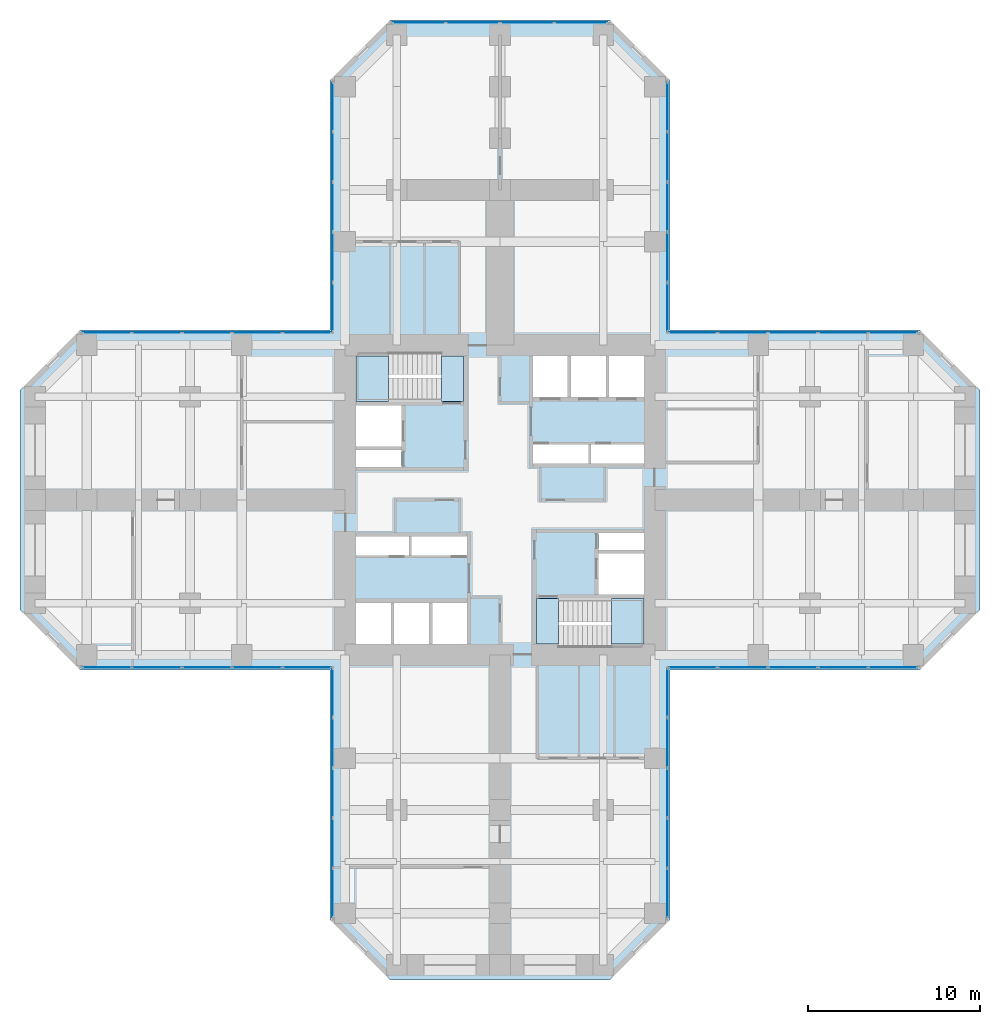
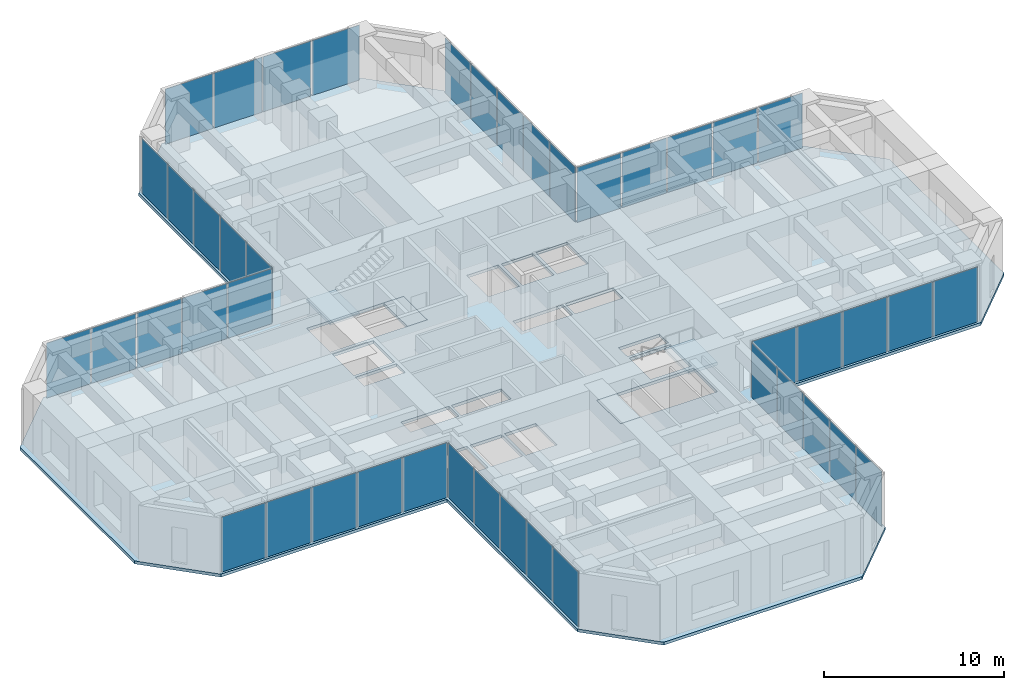
# One storey, part 7 of 12: 44 plates, 5 slabs, 11 elements without a shape of their own.
"""IFC4 building model written with IfcOpenShell, lengths in metres."""

from ifc_helpers import new_model, si_unit, direction, frame, origin, origin_2d, place, context, subcontext, project, spatial, polyline, rectangle, outline, extrude, material, layer, layer_set, type_object, element, aggregate, save


model = new_model("IFC4")

# Units and contexts
model_context = context("Model", 3, precision=1e-05, world=origin(), true_north=direction((0.0, 1.0)))
body_context = subcontext(model_context, "Body", "Model", "MODEL_VIEW")
ifc_project = project(units=[si_unit("LENGTHUNIT", "METRE"), si_unit("AREAUNIT", "SQUARE_METRE"), si_unit("VOLUMEUNIT", "CUBIC_METRE"), si_unit("PLANEANGLEUNIT", "RADIAN"), si_unit("MASSUNIT", "GRAM", prefix="KILO")], contexts=[model_context])

# Site, building, storey
site_placement = place(None, origin())
site = spatial("IfcSite", under=ifc_project, at=site_placement, CompositionType="ELEMENT")
building_placement = place(site_placement, origin())
building = spatial("IfcBuilding", under=site, at=building_placement, Name="Torre Cruceta", CompositionType="ELEMENT")
storey_placement = place(building_placement, frame((0.0, 0.0, 67.5)))
storey = spatial("IfcBuildingStorey", under=building, at=storey_placement, Name="L16", CompositionType="ELEMENT", Elevation=67.5)

# Curtain wall, plate
ifc_material_1 = material(Name="Aluminium unitised curtain wall", Category="aluminium")
curtain_wall_type = type_object("IfcCurtainWallType", Name="CURTAIN WALL CW-A OFFICE LOW RISE", PredefinedType="USERDEFINED", material=ifc_material_1)
curtain_wall_1_placement = place(storey_placement, origin())
curtain_wall_1 = element("IfcCurtainWall", 1, at=curtain_wall_1_placement, inside=storey, type_object=curtain_wall_type, Name="CW-A L16 E side 00", ObjectType="UNITISED", PredefinedType="USERDEFINED")
ifc_material_2 = material(Name="Laminated insulating glass unit, low-iron clear", Category="glass")
ifc_material_3 = material(Name="Laminated insulating glass unit, diagonal frit 50 %", Category="glass")
ifc_layer_1 = layer(ifc_material_3, 0.033935546875)
ifc_layer_set_1 = layer_set([ifc_layer_1], Name="Laminated insulating glass unit, diagonal frit 50 %")
plate_type_1 = type_object("IfcPlateType", Name="CW-A OPERABLE VENT PANEL 34", PredefinedType="CURTAIN_PANEL", material=ifc_layer_set_1)
plate_1_placement = place(storey_placement, frame((17.009033203125, -9.719970703125, 0.010009765625), z_axis=(0.0, 0.0, 1.0), x_axis=(1.0, 0.0, 0.0)))
plate_1 = element("IfcPlate", 2, at=plate_1_placement, type_object=plate_type_1, material=ifc_material_2, Name="CW-A vent 3", PredefinedType="CURTAIN_PANEL", context=body_context, shape_type="SweptSolid", body=[
    extrude(rectangle(XDim=2.8505859375, YDim=0.033935546875, at=origin_2d()), origin(), (0.0, 0.0, 1.0), 3.72509765625),
])

curtain_wall_2_placement = place(storey_placement, origin())
curtain_wall_2 = element("IfcCurtainWall", 3, at=curtain_wall_2_placement, inside=storey, type_object=curtain_wall_type, Name="CW-A L16 E side 04", ObjectType="UNITISED", PredefinedType="USERDEFINED")
plate_2_placement = place(storey_placement, frame((17.009033203125, 9.719970703125, 0.010009765625), z_axis=(0.0, 0.0, 1.0), x_axis=(-1.0, 0.0, 0.0)))
plate_2 = element("IfcPlate", 4, at=plate_2_placement, type_object=plate_type_1, material=ifc_material_2, Name="CW-A vent 3", PredefinedType="CURTAIN_PANEL", context=body_context, shape_type="SweptSolid", body=[
    extrude(rectangle(XDim=2.8505859375, YDim=0.033935546875, at=origin_2d()), origin(), (0.0, 0.0, 1.0), 3.72509765625),
])

curtain_wall_3_placement = place(storey_placement, origin())
curtain_wall_3 = element("IfcCurtainWall", 5, at=curtain_wall_3_placement, inside=storey, type_object=curtain_wall_type, Name="CW-A L16 N side 05", ObjectType="UNITISED", PredefinedType="USERDEFINED")
plate_3_placement = place(storey_placement, frame((9.719970703125, 17.009033203125, 0.010009765625), z_axis=(0.0, 0.0, 1.0), x_axis=(0.0, 1.0, 0.0)))
plate_3 = element("IfcPlate", 6, at=plate_3_placement, type_object=plate_type_1, material=ifc_material_2, Name="CW-A vent 3", PredefinedType="CURTAIN_PANEL", context=body_context, shape_type="SweptSolid", body=[
    extrude(rectangle(XDim=2.8505859375, YDim=0.033935546875, at=origin_2d()), origin(), (0.0, 0.0, 1.0), 3.72509765625),
])

curtain_wall_4_placement = place(storey_placement, origin())
curtain_wall_4 = element("IfcCurtainWall", 7, at=curtain_wall_4_placement, inside=storey, type_object=curtain_wall_type, Name="CW-A L16 N tip 07", ObjectType="UNITISED", PredefinedType="USERDEFINED")
plate_4_placement = place(storey_placement, frame((-1.574462890625, 27.719970703125, 0.010009765625), z_axis=(0.0, 0.0, 1.0), x_axis=(-1.0, 0.0, 0.0)))
plate_4 = element("IfcPlate", 8, at=plate_4_placement, type_object=plate_type_1, material=ifc_material_2, Name="CW-A vent 3", PredefinedType="CURTAIN_PANEL", context=body_context, shape_type="SweptSolid", body=[
    extrude(rectangle(XDim=3.084228515625, YDim=0.033935546875, at=origin_2d()), origin(), (0.0, 0.0, 1.0), 3.72509765625),
])

curtain_wall_5_placement = place(storey_placement, origin())
curtain_wall_5 = element("IfcCurtainWall", 9, at=curtain_wall_5_placement, inside=storey, type_object=curtain_wall_type, Name="CW-A L16 N side 09", ObjectType="UNITISED", PredefinedType="USERDEFINED")
plate_5_placement = place(storey_placement, frame((-9.719970703125, 17.009033203125, 0.010009765625), z_axis=(0.0, 0.0, 1.0), x_axis=(0.0, -1.0, 0.0)))
plate_5 = element("IfcPlate", 10, at=plate_5_placement, type_object=plate_type_1, material=ifc_material_2, Name="CW-A vent 3", PredefinedType="CURTAIN_PANEL", context=body_context, shape_type="SweptSolid", body=[
    extrude(rectangle(XDim=2.8505859375, YDim=0.033935546875, at=origin_2d()), origin(), (0.0, 0.0, 1.0), 3.72509765625),
])

curtain_wall_6_placement = place(storey_placement, origin())
curtain_wall_6 = element("IfcCurtainWall", 11, at=curtain_wall_6_placement, inside=storey, type_object=curtain_wall_type, Name="CW-A L16 W side 10", ObjectType="UNITISED", PredefinedType="USERDEFINED")
plate_6_placement = place(storey_placement, frame((-17.009033203125, 9.719970703125, 0.010009765625), z_axis=(0.0, 0.0, 1.0), x_axis=(-1.0, 0.0, 0.0)))
plate_6 = element("IfcPlate", 12, at=plate_6_placement, type_object=plate_type_1, material=ifc_material_2, Name="CW-A vent 3", PredefinedType="CURTAIN_PANEL", context=body_context, shape_type="SweptSolid", body=[
    extrude(rectangle(XDim=2.8505859375, YDim=0.033935546875, at=origin_2d()), origin(), (0.0, 0.0, 1.0), 3.72509765625),
])

curtain_wall_7_placement = place(storey_placement, origin())
curtain_wall_7 = element("IfcCurtainWall", 13, at=curtain_wall_7_placement, inside=storey, type_object=curtain_wall_type, Name="CW-A L16 W side 14", ObjectType="UNITISED", PredefinedType="USERDEFINED")
plate_7_placement = place(storey_placement, frame((-17.009033203125, -9.719970703125, 0.010009765625), z_axis=(0.0, 0.0, 1.0), x_axis=(1.0, 0.0, 0.0)))
plate_7 = element("IfcPlate", 14, at=plate_7_placement, type_object=plate_type_1, material=ifc_material_2, Name="CW-A vent 3", PredefinedType="CURTAIN_PANEL", context=body_context, shape_type="SweptSolid", body=[
    extrude(rectangle(XDim=2.8505859375, YDim=0.033935546875, at=origin_2d()), origin(), (0.0, 0.0, 1.0), 3.72509765625),
])

curtain_wall_8_placement = place(storey_placement, origin())
curtain_wall_8 = element("IfcCurtainWall", 15, at=curtain_wall_8_placement, inside=storey, type_object=curtain_wall_type, Name="CW-A L16 S side 15", ObjectType="UNITISED", PredefinedType="USERDEFINED")
plate_8_placement = place(storey_placement, frame((-9.719970703125, -17.009033203125, 0.010009765625), z_axis=(0.0, 0.0, 1.0), x_axis=(0.0, -1.0, 0.0)))
plate_8 = element("IfcPlate", 16, at=plate_8_placement, type_object=plate_type_1, material=ifc_material_2, Name="CW-A vent 3", PredefinedType="CURTAIN_PANEL", context=body_context, shape_type="SweptSolid", body=[
    extrude(rectangle(XDim=2.8505859375, YDim=0.033935546875, at=origin_2d()), origin(), (0.0, 0.0, 1.0), 3.72509765625),
])

curtain_wall_9_placement = place(storey_placement, origin())
curtain_wall_9 = element("IfcCurtainWall", 17, at=curtain_wall_9_placement, inside=storey, type_object=curtain_wall_type, Name="CW-A L16 S side 19", ObjectType="UNITISED", PredefinedType="USERDEFINED")
plate_9_placement = place(storey_placement, frame((9.719970703125, -17.009033203125, 0.010009765625), z_axis=(0.0, 0.0, 1.0), x_axis=(0.0, 1.0, 0.0)))
plate_9 = element("IfcPlate", 18, at=plate_9_placement, type_object=plate_type_1, material=ifc_material_2, Name="CW-A vent 3", PredefinedType="CURTAIN_PANEL", context=body_context, shape_type="SweptSolid", body=[
    extrude(rectangle(XDim=2.8505859375, YDim=0.033935546875, at=origin_2d()), origin(), (0.0, 0.0, 1.0), 3.72509765625),
])

# Plate
ifc_material_4 = material(Name="Laminated insulating glass unit, diagonal frit 50 %", Category="glass")
ifc_material_5 = material(Name="Laminated insulating glass unit, diagonal frit 50 %", Category="glass")
ifc_layer_2 = layer(ifc_material_5, 0.033935546875)
ifc_layer_set_2 = layer_set([ifc_layer_2], Name="Laminated insulating glass unit, diagonal frit 50 %")
plate_type_2 = type_object("IfcPlateType", Name="CW-A PANEL 34", PredefinedType="CURTAIN_PANEL", material=ifc_layer_set_2)
plate_10_placement = place(storey_placement, frame((11.194091796875, -9.719970703125, 0.010009765625), z_axis=(0.0, 0.0, 1.0), x_axis=(1.0, 0.0, 0.0)))
plate_10 = element("IfcPlate", 19, at=plate_10_placement, type_object=plate_type_2, material=ifc_material_4, Name="CW-A panel 1", PredefinedType="CURTAIN_PANEL", context=body_context, shape_type="SweptSolid", body=[
    extrude(rectangle(XDim=2.818115234375, YDim=0.033935546875, at=origin_2d()), origin(), (0.0, 0.0, 1.0), 3.72509765625),
])

plate_11_placement = place(storey_placement, frame((14.093505859375, -9.719970703125, 0.010009765625), z_axis=(0.0, 0.0, 1.0), x_axis=(1.0, 0.0, 0.0)))
plate_11 = element("IfcPlate", 20, at=plate_11_placement, type_object=plate_type_2, material=ifc_material_4, Name="CW-A panel 2", PredefinedType="CURTAIN_PANEL", context=body_context, shape_type="SweptSolid", body=[
    extrude(rectangle(XDim=2.8505859375, YDim=0.033935546875, at=origin_2d()), origin(), (0.0, 0.0, 1.0), 3.72509765625),
])

plate_12_placement = place(storey_placement, frame((19.9248046875, -9.719970703125, 0.010009765625), z_axis=(0.0, 0.0, 1.0), x_axis=(1.0, 0.0, 0.0)))
plate_12 = element("IfcPlate", 21, at=plate_12_placement, type_object=plate_type_2, material=ifc_material_2, Name="CW-A panel 4", PredefinedType="CURTAIN_PANEL", context=body_context, shape_type="SweptSolid", body=[
    extrude(rectangle(XDim=2.8505859375, YDim=0.033935546875, at=origin_2d()), origin(), (0.0, 0.0, 1.0), 3.72509765625),
])

plate_13_placement = place(storey_placement, frame((22.82421875, -9.719970703125, 0.010009765625), z_axis=(0.0, 0.0, 1.0), x_axis=(1.0, 0.0, 0.0)))
plate_13 = element("IfcPlate", 22, at=plate_13_placement, type_object=plate_type_2, material=ifc_material_4, Name="CW-A panel 5", PredefinedType="CURTAIN_PANEL", context=body_context, shape_type="SweptSolid", body=[
    extrude(rectangle(XDim=2.818115234375, YDim=0.033935546875, at=origin_2d()), origin(), (0.0, 0.0, 1.0), 3.72509765625),
])

aggregate(curtain_wall_1, [plate_10, plate_11, plate_1, plate_12, plate_13])

plate_14_placement = place(storey_placement, frame((22.82421875, 9.719970703125, 0.010009765625), z_axis=(0.0, 0.0, 1.0), x_axis=(-1.0, 0.0, 0.0)))
plate_14 = element("IfcPlate", 23, at=plate_14_placement, type_object=plate_type_2, material=ifc_material_4, Name="CW-A panel 1", PredefinedType="CURTAIN_PANEL", context=body_context, shape_type="SweptSolid", body=[
    extrude(rectangle(XDim=2.818115234375, YDim=0.033935546875, at=origin_2d()), origin(), (0.0, 0.0, 1.0), 3.72509765625),
])

plate_15_placement = place(storey_placement, frame((19.9248046875, 9.719970703125, 0.010009765625), z_axis=(0.0, 0.0, 1.0), x_axis=(-1.0, 0.0, 0.0)))
plate_15 = element("IfcPlate", 24, at=plate_15_placement, type_object=plate_type_2, material=ifc_material_4, Name="CW-A panel 2", PredefinedType="CURTAIN_PANEL", context=body_context, shape_type="SweptSolid", body=[
    extrude(rectangle(XDim=2.8505859375, YDim=0.033935546875, at=origin_2d()), origin(), (0.0, 0.0, 1.0), 3.72509765625),
])

plate_16_placement = place(storey_placement, frame((14.093505859375, 9.719970703125, 0.010009765625), z_axis=(0.0, 0.0, 1.0), x_axis=(-1.0, 0.0, 0.0)))
plate_16 = element("IfcPlate", 25, at=plate_16_placement, type_object=plate_type_2, material=ifc_material_2, Name="CW-A panel 4", PredefinedType="CURTAIN_PANEL", context=body_context, shape_type="SweptSolid", body=[
    extrude(rectangle(XDim=2.8505859375, YDim=0.033935546875, at=origin_2d()), origin(), (0.0, 0.0, 1.0), 3.72509765625),
])

plate_17_placement = place(storey_placement, frame((11.194091796875, 9.719970703125, 0.010009765625), z_axis=(0.0, 0.0, 1.0), x_axis=(-1.0, 0.0, 0.0)))
plate_17 = element("IfcPlate", 26, at=plate_17_placement, type_object=plate_type_2, material=ifc_material_4, Name="CW-A panel 5", PredefinedType="CURTAIN_PANEL", context=body_context, shape_type="SweptSolid", body=[
    extrude(rectangle(XDim=2.818115234375, YDim=0.033935546875, at=origin_2d()), origin(), (0.0, 0.0, 1.0), 3.72509765625),
])

aggregate(curtain_wall_2, [plate_14, plate_15, plate_2, plate_16, plate_17])

plate_18_placement = place(storey_placement, frame((9.719970703125, 11.194091796875, 0.010009765625), z_axis=(0.0, 0.0, 1.0), x_axis=(0.0, 1.0, 0.0)))
plate_18 = element("IfcPlate", 27, at=plate_18_placement, type_object=plate_type_2, material=ifc_material_4, Name="CW-A panel 1", PredefinedType="CURTAIN_PANEL", context=body_context, shape_type="SweptSolid", body=[
    extrude(rectangle(XDim=2.818115234375, YDim=0.033935546875, at=origin_2d()), origin(), (0.0, 0.0, 1.0), 3.72509765625),
])

plate_19_placement = place(storey_placement, frame((9.719970703125, 14.093505859375, 0.010009765625), z_axis=(0.0, 0.0, 1.0), x_axis=(0.0, 1.0, 0.0)))
plate_19 = element("IfcPlate", 28, at=plate_19_placement, type_object=plate_type_2, material=ifc_material_4, Name="CW-A panel 2", PredefinedType="CURTAIN_PANEL", context=body_context, shape_type="SweptSolid", body=[
    extrude(rectangle(XDim=2.8505859375, YDim=0.033935546875, at=origin_2d()), origin(), (0.0, 0.0, 1.0), 3.72509765625),
])

plate_20_placement = place(storey_placement, frame((9.719970703125, 19.9248046875, 0.010009765625), z_axis=(0.0, 0.0, 1.0), x_axis=(0.0, 1.0, 0.0)))
plate_20 = element("IfcPlate", 29, at=plate_20_placement, type_object=plate_type_2, material=ifc_material_2, Name="CW-A panel 4", PredefinedType="CURTAIN_PANEL", context=body_context, shape_type="SweptSolid", body=[
    extrude(rectangle(XDim=2.8505859375, YDim=0.033935546875, at=origin_2d()), origin(), (0.0, 0.0, 1.0), 3.72509765625),
])

plate_21_placement = place(storey_placement, frame((9.719970703125, 22.82421875, 0.010009765625), z_axis=(0.0, 0.0, 1.0), x_axis=(0.0, 1.0, 0.0)))
plate_21 = element("IfcPlate", 30, at=plate_21_placement, type_object=plate_type_2, material=ifc_material_4, Name="CW-A panel 5", PredefinedType="CURTAIN_PANEL", context=body_context, shape_type="SweptSolid", body=[
    extrude(rectangle(XDim=2.818115234375, YDim=0.033935546875, at=origin_2d()), origin(), (0.0, 0.0, 1.0), 3.72509765625),
])

aggregate(curtain_wall_3, [plate_18, plate_19, plate_3, plate_20, plate_21])

plate_22_placement = place(storey_placement, frame((4.70751953125, 27.719970703125, 0.010009765625), z_axis=(0.0, 0.0, 1.0), x_axis=(-1.0, 0.0, 0.0)))
plate_22 = element("IfcPlate", 31, at=plate_22_placement, type_object=plate_type_2, material=ifc_material_4, Name="CW-A panel 1", PredefinedType="CURTAIN_PANEL", context=body_context, shape_type="SweptSolid", body=[
    extrude(rectangle(XDim=3.051513671875, YDim=0.033935546875, at=origin_2d()), origin(), (0.0, 0.0, 1.0), 3.72509765625),
])

plate_23_placement = place(storey_placement, frame((1.574462890625, 27.719970703125, 0.010009765625), z_axis=(0.0, 0.0, 1.0), x_axis=(-1.0, 0.0, 0.0)))
plate_23 = element("IfcPlate", 32, at=plate_23_placement, type_object=plate_type_2, material=ifc_material_4, Name="CW-A panel 2", PredefinedType="CURTAIN_PANEL", context=body_context, shape_type="SweptSolid", body=[
    extrude(rectangle(XDim=3.084228515625, YDim=0.033935546875, at=origin_2d()), origin(), (0.0, 0.0, 1.0), 3.72509765625),
])

plate_24_placement = place(storey_placement, frame((-4.70751953125, 27.719970703125, 0.010009765625), z_axis=(0.0, 0.0, 1.0), x_axis=(-1.0, 0.0, 0.0)))
plate_24 = element("IfcPlate", 33, at=plate_24_placement, type_object=plate_type_2, material=ifc_material_2, Name="CW-A panel 4", PredefinedType="CURTAIN_PANEL", context=body_context, shape_type="SweptSolid", body=[
    extrude(rectangle(XDim=3.051513671875, YDim=0.033935546875, at=origin_2d()), origin(), (0.0, 0.0, 1.0), 3.72509765625),
])

aggregate(curtain_wall_4, [plate_22, plate_23, plate_4, plate_24])

plate_25_placement = place(storey_placement, frame((-9.719970703125, 22.82421875, 0.010009765625), z_axis=(0.0, 0.0, 1.0), x_axis=(0.0, -1.0, 0.0)))
plate_25 = element("IfcPlate", 34, at=plate_25_placement, type_object=plate_type_2, material=ifc_material_4, Name="CW-A panel 1", PredefinedType="CURTAIN_PANEL", context=body_context, shape_type="SweptSolid", body=[
    extrude(rectangle(XDim=2.818115234375, YDim=0.033935546875, at=origin_2d()), origin(), (0.0, 0.0, 1.0), 3.72509765625),
])

plate_26_placement = place(storey_placement, frame((-9.719970703125, 19.9248046875, 0.010009765625), z_axis=(0.0, 0.0, 1.0), x_axis=(0.0, -1.0, 0.0)))
plate_26 = element("IfcPlate", 35, at=plate_26_placement, type_object=plate_type_2, material=ifc_material_4, Name="CW-A panel 2", PredefinedType="CURTAIN_PANEL", context=body_context, shape_type="SweptSolid", body=[
    extrude(rectangle(XDim=2.8505859375, YDim=0.033935546875, at=origin_2d()), origin(), (0.0, 0.0, 1.0), 3.72509765625),
])

plate_27_placement = place(storey_placement, frame((-9.719970703125, 14.093505859375, 0.010009765625), z_axis=(0.0, 0.0, 1.0), x_axis=(0.0, -1.0, 0.0)))
plate_27 = element("IfcPlate", 36, at=plate_27_placement, type_object=plate_type_2, material=ifc_material_2, Name="CW-A panel 4", PredefinedType="CURTAIN_PANEL", context=body_context, shape_type="SweptSolid", body=[
    extrude(rectangle(XDim=2.8505859375, YDim=0.033935546875, at=origin_2d()), origin(), (0.0, 0.0, 1.0), 3.72509765625),
])

plate_28_placement = place(storey_placement, frame((-9.719970703125, 11.194091796875, 0.010009765625), z_axis=(0.0, 0.0, 1.0), x_axis=(0.0, -1.0, 0.0)))
plate_28 = element("IfcPlate", 37, at=plate_28_placement, type_object=plate_type_2, material=ifc_material_4, Name="CW-A panel 5", PredefinedType="CURTAIN_PANEL", context=body_context, shape_type="SweptSolid", body=[
    extrude(rectangle(XDim=2.818115234375, YDim=0.033935546875, at=origin_2d()), origin(), (0.0, 0.0, 1.0), 3.72509765625),
])

aggregate(curtain_wall_5, [plate_25, plate_26, plate_5, plate_27, plate_28])

plate_29_placement = place(storey_placement, frame((-11.194091796875, 9.719970703125, 0.010009765625), z_axis=(0.0, 0.0, 1.0), x_axis=(-1.0, 0.0, 0.0)))
plate_29 = element("IfcPlate", 38, at=plate_29_placement, type_object=plate_type_2, material=ifc_material_4, Name="CW-A panel 1", PredefinedType="CURTAIN_PANEL", context=body_context, shape_type="SweptSolid", body=[
    extrude(rectangle(XDim=2.818115234375, YDim=0.033935546875, at=origin_2d()), origin(), (0.0, 0.0, 1.0), 3.72509765625),
])

plate_30_placement = place(storey_placement, frame((-14.093505859375, 9.719970703125, 0.010009765625), z_axis=(0.0, 0.0, 1.0), x_axis=(-1.0, 0.0, 0.0)))
plate_30 = element("IfcPlate", 39, at=plate_30_placement, type_object=plate_type_2, material=ifc_material_4, Name="CW-A panel 2", PredefinedType="CURTAIN_PANEL", context=body_context, shape_type="SweptSolid", body=[
    extrude(rectangle(XDim=2.8505859375, YDim=0.033935546875, at=origin_2d()), origin(), (0.0, 0.0, 1.0), 3.72509765625),
])

plate_31_placement = place(storey_placement, frame((-19.9248046875, 9.719970703125, 0.010009765625), z_axis=(0.0, 0.0, 1.0), x_axis=(-1.0, 0.0, 0.0)))
plate_31 = element("IfcPlate", 40, at=plate_31_placement, type_object=plate_type_2, material=ifc_material_2, Name="CW-A panel 4", PredefinedType="CURTAIN_PANEL", context=body_context, shape_type="SweptSolid", body=[
    extrude(rectangle(XDim=2.8505859375, YDim=0.033935546875, at=origin_2d()), origin(), (0.0, 0.0, 1.0), 3.72509765625),
])

plate_32_placement = place(storey_placement, frame((-22.82421875, 9.719970703125, 0.010009765625), z_axis=(0.0, 0.0, 1.0), x_axis=(-1.0, 0.0, 0.0)))
plate_32 = element("IfcPlate", 41, at=plate_32_placement, type_object=plate_type_2, material=ifc_material_4, Name="CW-A panel 5", PredefinedType="CURTAIN_PANEL", context=body_context, shape_type="SweptSolid", body=[
    extrude(rectangle(XDim=2.818115234375, YDim=0.033935546875, at=origin_2d()), origin(), (0.0, 0.0, 1.0), 3.72509765625),
])

aggregate(curtain_wall_6, [plate_29, plate_30, plate_6, plate_31, plate_32])

plate_33_placement = place(storey_placement, frame((-22.82421875, -9.719970703125, 0.010009765625), z_axis=(0.0, 0.0, 1.0), x_axis=(1.0, 0.0, 0.0)))
plate_33 = element("IfcPlate", 42, at=plate_33_placement, type_object=plate_type_2, material=ifc_material_4, Name="CW-A panel 1", PredefinedType="CURTAIN_PANEL", context=body_context, shape_type="SweptSolid", body=[
    extrude(rectangle(XDim=2.818115234375, YDim=0.033935546875, at=origin_2d()), origin(), (0.0, 0.0, 1.0), 3.72509765625),
])

plate_34_placement = place(storey_placement, frame((-19.9248046875, -9.719970703125, 0.010009765625), z_axis=(0.0, 0.0, 1.0), x_axis=(1.0, 0.0, 0.0)))
plate_34 = element("IfcPlate", 43, at=plate_34_placement, type_object=plate_type_2, material=ifc_material_4, Name="CW-A panel 2", PredefinedType="CURTAIN_PANEL", context=body_context, shape_type="SweptSolid", body=[
    extrude(rectangle(XDim=2.8505859375, YDim=0.033935546875, at=origin_2d()), origin(), (0.0, 0.0, 1.0), 3.72509765625),
])

plate_35_placement = place(storey_placement, frame((-14.093505859375, -9.719970703125, 0.010009765625), z_axis=(0.0, 0.0, 1.0), x_axis=(1.0, 0.0, 0.0)))
plate_35 = element("IfcPlate", 44, at=plate_35_placement, type_object=plate_type_2, material=ifc_material_2, Name="CW-A panel 4", PredefinedType="CURTAIN_PANEL", context=body_context, shape_type="SweptSolid", body=[
    extrude(rectangle(XDim=2.8505859375, YDim=0.033935546875, at=origin_2d()), origin(), (0.0, 0.0, 1.0), 3.72509765625),
])

plate_36_placement = place(storey_placement, frame((-11.194091796875, -9.719970703125, 0.010009765625), z_axis=(0.0, 0.0, 1.0), x_axis=(1.0, 0.0, 0.0)))
plate_36 = element("IfcPlate", 45, at=plate_36_placement, type_object=plate_type_2, material=ifc_material_4, Name="CW-A panel 5", PredefinedType="CURTAIN_PANEL", context=body_context, shape_type="SweptSolid", body=[
    extrude(rectangle(XDim=2.818115234375, YDim=0.033935546875, at=origin_2d()), origin(), (0.0, 0.0, 1.0), 3.72509765625),
])

aggregate(curtain_wall_7, [plate_33, plate_34, plate_7, plate_35, plate_36])

plate_37_placement = place(storey_placement, frame((-9.719970703125, -11.194091796875, 0.010009765625), z_axis=(0.0, 0.0, 1.0), x_axis=(0.0, -1.0, 0.0)))
plate_37 = element("IfcPlate", 46, at=plate_37_placement, type_object=plate_type_2, material=ifc_material_4, Name="CW-A panel 1", PredefinedType="CURTAIN_PANEL", context=body_context, shape_type="SweptSolid", body=[
    extrude(rectangle(XDim=2.818115234375, YDim=0.033935546875, at=origin_2d()), origin(), (0.0, 0.0, 1.0), 3.72509765625),
])

plate_38_placement = place(storey_placement, frame((-9.719970703125, -14.093505859375, 0.010009765625), z_axis=(0.0, 0.0, 1.0), x_axis=(0.0, -1.0, 0.0)))
plate_38 = element("IfcPlate", 47, at=plate_38_placement, type_object=plate_type_2, material=ifc_material_4, Name="CW-A panel 2", PredefinedType="CURTAIN_PANEL", context=body_context, shape_type="SweptSolid", body=[
    extrude(rectangle(XDim=2.8505859375, YDim=0.033935546875, at=origin_2d()), origin(), (0.0, 0.0, 1.0), 3.72509765625),
])

plate_39_placement = place(storey_placement, frame((-9.719970703125, -19.9248046875, 0.010009765625), z_axis=(0.0, 0.0, 1.0), x_axis=(0.0, -1.0, 0.0)))
plate_39 = element("IfcPlate", 48, at=plate_39_placement, type_object=plate_type_2, material=ifc_material_2, Name="CW-A panel 4", PredefinedType="CURTAIN_PANEL", context=body_context, shape_type="SweptSolid", body=[
    extrude(rectangle(XDim=2.8505859375, YDim=0.033935546875, at=origin_2d()), origin(), (0.0, 0.0, 1.0), 3.72509765625),
])

plate_40_placement = place(storey_placement, frame((-9.719970703125, -22.82421875, 0.010009765625), z_axis=(0.0, 0.0, 1.0), x_axis=(0.0, -1.0, 0.0)))
plate_40 = element("IfcPlate", 49, at=plate_40_placement, type_object=plate_type_2, material=ifc_material_4, Name="CW-A panel 5", PredefinedType="CURTAIN_PANEL", context=body_context, shape_type="SweptSolid", body=[
    extrude(rectangle(XDim=2.818115234375, YDim=0.033935546875, at=origin_2d()), origin(), (0.0, 0.0, 1.0), 3.72509765625),
])

aggregate(curtain_wall_8, [plate_37, plate_38, plate_8, plate_39, plate_40])

plate_41_placement = place(storey_placement, frame((9.719970703125, -22.82421875, 0.010009765625), z_axis=(0.0, 0.0, 1.0), x_axis=(0.0, 1.0, 0.0)))
plate_41 = element("IfcPlate", 50, at=plate_41_placement, type_object=plate_type_2, material=ifc_material_4, Name="CW-A panel 1", PredefinedType="CURTAIN_PANEL", context=body_context, shape_type="SweptSolid", body=[
    extrude(rectangle(XDim=2.818115234375, YDim=0.033935546875, at=origin_2d()), origin(), (0.0, 0.0, 1.0), 3.72509765625),
])

plate_42_placement = place(storey_placement, frame((9.719970703125, -19.9248046875, 0.010009765625), z_axis=(0.0, 0.0, 1.0), x_axis=(0.0, 1.0, 0.0)))
plate_42 = element("IfcPlate", 51, at=plate_42_placement, type_object=plate_type_2, material=ifc_material_4, Name="CW-A panel 2", PredefinedType="CURTAIN_PANEL", context=body_context, shape_type="SweptSolid", body=[
    extrude(rectangle(XDim=2.8505859375, YDim=0.033935546875, at=origin_2d()), origin(), (0.0, 0.0, 1.0), 3.72509765625),
])

plate_43_placement = place(storey_placement, frame((9.719970703125, -14.093505859375, 0.010009765625), z_axis=(0.0, 0.0, 1.0), x_axis=(0.0, 1.0, 0.0)))
plate_43 = element("IfcPlate", 52, at=plate_43_placement, type_object=plate_type_2, material=ifc_material_2, Name="CW-A panel 4", PredefinedType="CURTAIN_PANEL", context=body_context, shape_type="SweptSolid", body=[
    extrude(rectangle(XDim=2.8505859375, YDim=0.033935546875, at=origin_2d()), origin(), (0.0, 0.0, 1.0), 3.72509765625),
])

plate_44_placement = place(storey_placement, frame((9.719970703125, -11.194091796875, 0.010009765625), z_axis=(0.0, 0.0, 1.0), x_axis=(0.0, 1.0, 0.0)))
plate_44 = element("IfcPlate", 53, at=plate_44_placement, type_object=plate_type_2, material=ifc_material_4, Name="CW-A panel 5", PredefinedType="CURTAIN_PANEL", context=body_context, shape_type="SweptSolid", body=[
    extrude(rectangle(XDim=2.818115234375, YDim=0.033935546875, at=origin_2d()), origin(), (0.0, 0.0, 1.0), 3.72509765625),
])

aggregate(curtain_wall_9, [plate_41, plate_42, plate_9, plate_43, plate_44])

# Slab
ifc_material_6 = material(Name="Concrete G35 (fck 35 MPa)", Category="concrete")
ifc_layer_3 = layer(ifc_material_6, 0.199951171875)
ifc_layer_set_3 = layer_set([ifc_layer_3], Name="Concrete G35 (fck 35 MPa)")
slab_type_1 = type_object("IfcSlabType", Name="FLOOR SLAB 200", PredefinedType="FLOOR", material=ifc_layer_set_3)
slab_1_placement = place(storey_placement, frame((0.0, 0.0, -0.199951171875)))
element("IfcSlab", 54, at=slab_1_placement, inside=storey, type_object=slab_type_1, Name="Floor Slab L16", PredefinedType="FLOOR", context=body_context, shape_type="SweptSolid", body=[
    extrude(outline(polyline([(9.8701171875, -9.8701171875), (9.8701171875, -24.3603515625), (6.3603515625, -27.8701171875), (-6.3603515625, -27.8701171875), (-9.8701171875, -24.3603515625), (-9.8701171875, -9.8701171875), (-24.3603515625, -9.8701171875), (-27.8701171875, -6.3603515625), (-27.8701171875, 6.3603515625), (-24.3603515625, 9.8701171875), (-9.8701171875, 9.8701171875), (-9.8701171875, 24.3603515625), (-6.3603515625, 27.8701171875), (6.3603515625, 27.8701171875), (9.8701171875, 24.3603515625), (9.8701171875, 9.8701171875), (24.3603515625, 9.8701171875), (27.8701171875, 6.3603515625), (27.8701171875, -6.3603515625), (24.3603515625, -9.8701171875), (9.8701171875, -9.8701171875)]), holes=[polyline([(1.925048828125, 5.97509765625), (3.933349609375, 5.97509765625), (3.933349609375, 8.35009765625), (1.925048828125, 8.35009765625), (1.925048828125, 5.97509765625)]), polyline([(4.13330078125, 5.97509765625), (6.1416015625, 5.97509765625), (6.1416015625, 8.35009765625), (4.13330078125, 8.35009765625), (4.13330078125, 5.97509765625)]), polyline([(6.341552734375, 5.97509765625), (8.35009765625, 5.97509765625), (8.35009765625, 8.35009765625), (6.341552734375, 8.35009765625), (6.341552734375, 5.97509765625)]), polyline([(1.925048828125, 2.125), (5.125, 2.125), (5.125, 3.22509765625), (1.925048828125, 3.22509765625), (1.925048828125, 2.125)]), polyline([(5.27490234375, 2.125), (8.35009765625, 2.125), (8.35009765625, 3.22509765625), (5.27490234375, 3.22509765625), (5.27490234375, 2.125)]), polyline([(-8.35009765625, 3.10009765625), (-5.72509765625, 3.10009765625), (-5.72509765625, 5.47509765625), (-8.35009765625, 5.47509765625), (-8.35009765625, 3.10009765625)]), polyline([(-8.35009765625, 1.925048828125), (-5.72509765625, 1.925048828125), (-5.72509765625, 2.89990234375), (-8.35009765625, 2.89990234375), (-8.35009765625, 1.925048828125)]), polyline([(-3.933349609375, -8.35009765625), (-1.925048828125, -8.35009765625), (-1.925048828125, -5.97509765625), (-3.933349609375, -5.97509765625), (-3.933349609375, -8.35009765625)]), polyline([(-6.1416015625, -8.35009765625), (-4.13330078125, -8.35009765625), (-4.13330078125, -5.97509765625), (-6.1416015625, -5.97509765625), (-6.1416015625, -8.35009765625)]), polyline([(-8.35009765625, -8.35009765625), (-6.341552734375, -8.35009765625), (-6.341552734375, -5.97509765625), (-8.35009765625, -5.97509765625), (-8.35009765625, -8.35009765625)]), polyline([(-5.125, -3.22509765625), (-1.925048828125, -3.22509765625), (-1.925048828125, -2.125), (-5.125, -2.125), (-5.125, -3.22509765625)]), polyline([(-8.35009765625, -3.22509765625), (-5.27490234375, -3.22509765625), (-5.27490234375, -2.125), (-8.35009765625, -2.125), (-8.35009765625, -3.22509765625)]), polyline([(5.72509765625, -5.47509765625), (8.35009765625, -5.47509765625), (8.35009765625, -3.10009765625), (5.72509765625, -3.10009765625), (5.72509765625, -5.47509765625)]), polyline([(5.72509765625, -2.89990234375), (8.35009765625, -2.89990234375), (8.35009765625, -1.925048828125), (5.72509765625, -1.925048828125), (5.72509765625, -2.89990234375)]), polyline([(-8.35009765625, 5.72509765625), (-8.35009765625, 8.35009765625), (-3.39990234375, 8.35009765625), (-2.125, 8.35009765625), (-2.125, 5.72509765625), (-3.39990234375, 5.72509765625), (-8.35009765625, 5.72509765625)]), polyline([(2.125, -5.72509765625), (3.39990234375, -5.72509765625), (8.35009765625, -5.72509765625), (8.35009765625, -8.35009765625), (3.39990234375, -8.35009765625), (2.125, -8.35009765625), (2.125, -5.72509765625)])]), origin(), (0.0, 0.0, 1.0), 0.199951171875),
])

# Stair, slab
ifc_material_7 = material(Name="Concrete G30 (fck 30 MPa)", Category="concrete")
stair_type = type_object("IfcStairType", Name="STAIR HALF-TURN 1300", PredefinedType="HALF_TURN_STAIR", material=ifc_material_7)
stair_1_placement = place(storey_placement, origin())
stair_1 = element("IfcStair", 55, at=stair_1_placement, inside=storey, type_object=stair_type, Name="Stair ST1 L16", PredefinedType="HALF_TURN_STAIR")
ifc_material_8 = material(Name="Concrete G30 (fck 30 MPa)", Category="concrete")
ifc_layer_4 = layer(ifc_material_8, 0.199951171875)
ifc_layer_set_4 = layer_set([ifc_layer_4], Name="Concrete G30 (fck 30 MPa)")
slab_type_2 = type_object("IfcSlabType", Name="STAIR LANDING 200", PredefinedType="LANDING", material=ifc_layer_set_4)
slab_2_placement = place(storey_placement, frame((0.0, 0.0, 1.800048828125)))
slab_2 = element("IfcSlab", 56, at=slab_2_placement, type_object=slab_type_2, Name="ST1 landing 1", PredefinedType="LANDING", context=body_context, shape_type="SweptSolid", body=[
    extrude(outline(polyline([(-8.35009765625, 5.72509765625), (-6.47998046875, 5.72509765625), (-6.47998046875, 8.35009765625), (-8.35009765625, 8.35009765625), (-8.35009765625, 5.72509765625)])), origin(), (0.0, 0.0, 1.0), 0.199951171875),
])
aggregate(stair_1, [slab_2])

stair_2_placement = place(storey_placement, origin())
stair_2 = element("IfcStair", 57, at=stair_2_placement, inside=storey, type_object=stair_type, Name="Stair ST2 L16", PredefinedType="HALF_TURN_STAIR")
slab_3_placement = place(storey_placement, frame((0.0, 0.0, 1.800048828125)))
slab_3 = element("IfcSlab", 58, at=slab_3_placement, type_object=slab_type_2, Name="ST2 landing 1", PredefinedType="LANDING", context=body_context, shape_type="SweptSolid", body=[
    extrude(outline(polyline([(6.47998046875, -8.35009765625), (8.35009765625, -8.35009765625), (8.35009765625, -5.72509765625), (6.47998046875, -5.72509765625), (6.47998046875, -8.35009765625)])), origin(), (0.0, 0.0, 1.0), 0.199951171875),
])
aggregate(stair_2, [slab_3])

# Slabs
slab_4_placement = place(storey_placement, frame((0.0, 0.0, -0.199951171875)))
element("IfcSlab", 59, at=slab_4_placement, inside=storey, type_object=slab_type_2, Name="Stair ST1 floor landing L16", PredefinedType="LANDING", context=body_context, shape_type="SweptSolid", body=[
    extrude(outline(polyline([(-2.125, 8.35009765625), (-2.125, 5.72509765625), (-3.39990234375, 5.72509765625), (-3.39990234375, 8.35009765625), (-2.125, 8.35009765625)])), origin(), (0.0, 0.0, 1.0), 0.199951171875),
])
slab_5_placement = place(storey_placement, frame((0.0, 0.0, -0.199951171875)))
element("IfcSlab", 60, at=slab_5_placement, inside=storey, type_object=slab_type_2, Name="Stair ST2 floor landing L16", PredefinedType="LANDING", context=body_context, shape_type="SweptSolid", body=[
    extrude(outline(polyline([(2.125, -8.35009765625), (2.125, -5.72509765625), (3.39990234375, -5.72509765625), (3.39990234375, -8.35009765625), (2.125, -8.35009765625)])), origin(), (0.0, 0.0, 1.0), 0.199951171875),
])

save(model, "model.ifc")
